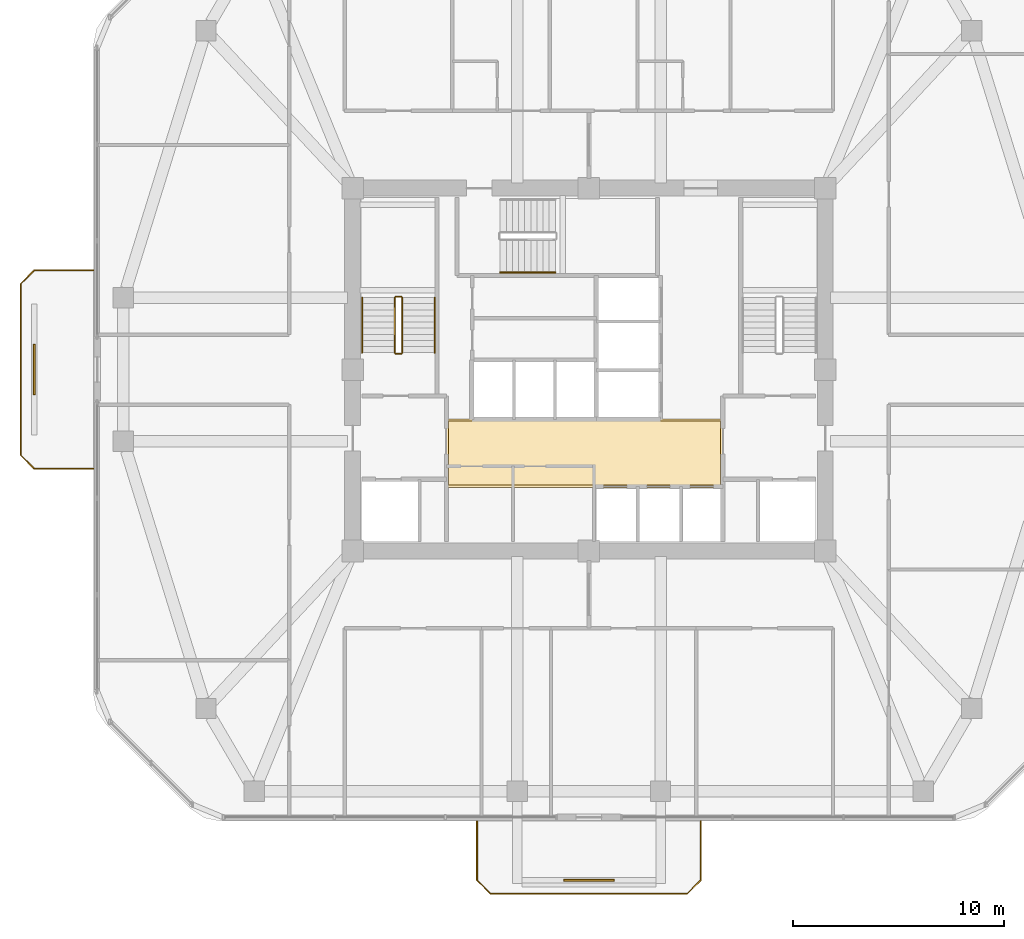
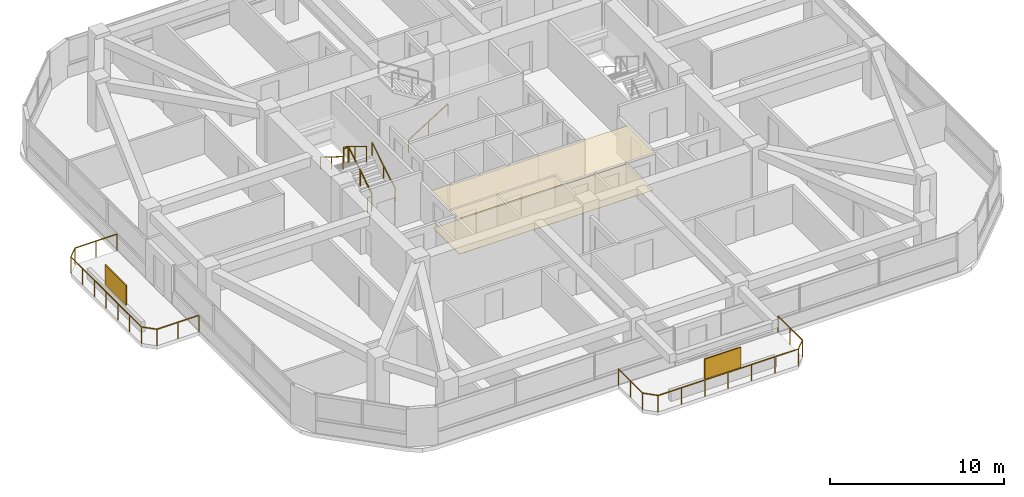
# One storey, part 11 of 12: 9 railings, 2 coverings, 2 shading devices.
"""IFC4 building model written with IfcOpenShell, lengths in metres."""

from ifc_helpers import new_model, si_unit, derived_unit, direction, frame, origin, origin_2d, place, context, subcontext, project, spatial, polyline, rectangle, outline, extrude, material, layer, layer_set, type_object, element, save


model = new_model("IFC4")

# Units and contexts
model_context = context("Model", 3, precision=1e-05, world=origin(), true_north=direction((0.0, 1.0)))
body_context = subcontext(model_context, "Body", "Model", "MODEL_VIEW")
ifc_project = project(units=[si_unit("LENGTHUNIT", "METRE"), si_unit("AREAUNIT", "SQUARE_METRE"), si_unit("VOLUMEUNIT", "CUBIC_METRE"), si_unit("PLANEANGLEUNIT", "RADIAN"), si_unit("MASSUNIT", "GRAM", prefix="KILO"), derived_unit("THERMALTRANSMITTANCEUNIT", [(si_unit("POWERUNIT", "WATT"), 1), (si_unit("LENGTHUNIT", "METRE"), -2), (si_unit("THERMODYNAMICTEMPERATUREUNIT", "KELVIN"), -1)])], contexts=[model_context])

# Site, building, storey
site_placement = place(None, origin())
site = spatial("IfcSite", under=ifc_project, at=site_placement, CompositionType="ELEMENT")
building_placement = place(site_placement, origin())
building = spatial("IfcBuilding", under=site, at=building_placement, Name="Koralith Skygarden Medical Center", CompositionType="ELEMENT")
storey_placement = place(building_placement, frame((0.0, 0.0, 134.820068359375)))
storey = spatial("IfcBuildingStorey", under=building, at=storey_placement, Name="L34", CompositionType="ELEMENT", Elevation=134.820068359375)

# Covering
ifc_material_1 = material(Name="Acoustic Mineral Tile")
ifc_layer_1 = layer(ifc_material_1, 0.02001953125)
ifc_layer_set_1 = layer_set([ifc_layer_1], Name="Acoustic Mineral Tile")
covering_type_1 = type_object("IfcCoveringType", Name="Acoustic Hygienic Mineral Ceiling 20", PredefinedType="CEILING", material=ifc_layer_set_1)
covering_1_placement = place(storey_placement, frame((0.0, 0.0, 2.5849609375)))
element("IfcCovering", 1, at=covering_1_placement, inside=storey, type_object=covering_type_1, Name="L34 Core Lobby Acoustic Ceiling", PredefinedType="CEILING", context=body_context, shape_type="SweptSolid", body=[
    extrude(outline(polyline([(30.25, 20.320068359375), (43.35009765625, 20.320068359375), (43.35009765625, 23.56005859375), (30.25, 23.56005859375), (30.25, 20.320068359375)])), origin(), (0.0, 0.0, 1.0), 0.02001953125),
])

# Railings
ifc_material_2 = material(Name="Steel ASTM A500 Grade C", Category="steel")
railing_type_1 = type_object("IfcRailingType", Name="Outdoor Terrace & Balcony Safety Guardrail 1180", PredefinedType="GUARDRAIL", material=ifc_material_2)
railing_1_placement = place(storey_placement, frame((31.699951171875, 4.5, 0.0)))
element("IfcRailing", 2, at=railing_1_placement, inside=storey, type_object=railing_type_1, Name="L34 S Balcony Perimeter Guardrail", PredefinedType="GUARDRAIL", context=body_context, shape_type="SweptSolid", body=[
    extrude(rectangle(XDim=0.050048828125, YDim=0.050048828125, at=origin_2d()), frame((0.0, -0.001953125, 1.15478515625), z_axis=(0.0, -1.0, 0.0), x_axis=(1.0, 0.0, 0.0)), (0.0, 0.0, 1.0), 2.796142578125),
    extrude(rectangle(XDim=0.050048828125, YDim=0.050048828125, at=origin_2d()), frame((0.00146484375, -2.801513671875, 1.15478515625), z_axis=(0.707239558722, -0.706973978714, 0.0), x_axis=(0.706973978714, 0.707239558722, 0.0)), (0.0, 0.0, 1.0), 0.915283203125),
    extrude(rectangle(XDim=0.050048828125, YDim=0.050048828125, at=origin_2d()), frame((0.652099609375, -3.449951171875, 1.15478515625), z_axis=(1.0, 0.0, 0.0), x_axis=(0.0, 1.0, 0.0)), (0.0, 0.0, 1.0), 9.2958984375),
    extrude(rectangle(XDim=0.050048828125, YDim=0.050048828125, at=origin_2d()), frame((9.951416015625, -3.448486328125, 1.15478515625), z_axis=(0.707239558722, 0.706973978714, 0.0), x_axis=(-0.706973978714, 0.707239558722, 0.0)), (0.0, 0.0, 1.0), 0.915283203125),
    extrude(rectangle(XDim=0.050048828125, YDim=0.050048828125, at=origin_2d()), frame((10.60009765625, -2.798095703125, 1.15478515625), z_axis=(0.0, 1.0, 0.0), x_axis=(-1.0, 0.0, 0.0)), (0.0, 0.0, 1.0), 2.796142578125),
    extrude(rectangle(XDim=0.0419921875, YDim=0.0419921875, at=origin_2d()), origin(), (0.0, 0.0, 1.0), 1.1279296875),
    extrude(rectangle(XDim=0.0419921875, YDim=0.0419921875, at=origin_2d()), frame((0.0, -1.39990234375, 0.0)), (0.0, 0.0, 1.0), 1.1279296875),
    extrude(rectangle(XDim=0.0419921875, YDim=0.0419921875, at=origin_2d()), frame((0.0, -2.800048828125, 0.0)), (0.0, 0.0, 1.0), 1.1279296875),
    extrude(rectangle(XDim=0.0419921875, YDim=0.0419921875, at=origin_2d()), frame((0.650146484375, -3.449951171875, 0.0)), (0.0, 0.0, 1.0), 1.1279296875),
    extrude(rectangle(XDim=0.0419921875, YDim=0.0419921875, at=origin_2d()), frame((2.2001953125, -3.449951171875, 0.0)), (0.0, 0.0, 1.0), 1.1279296875),
    extrude(rectangle(XDim=0.0419921875, YDim=0.0419921875, at=origin_2d()), frame((3.75, -3.449951171875, 0.0)), (0.0, 0.0, 1.0), 1.1279296875),
    extrude(rectangle(XDim=0.0419921875, YDim=0.0419921875, at=origin_2d()), frame((5.300048828125, -3.449951171875, 0.0)), (0.0, 0.0, 1.0), 1.1279296875),
    extrude(rectangle(XDim=0.0419921875, YDim=0.0419921875, at=origin_2d()), frame((6.85009765625, -3.449951171875, 0.0)), (0.0, 0.0, 1.0), 1.1279296875),
    extrude(rectangle(XDim=0.0419921875, YDim=0.0419921875, at=origin_2d()), frame((8.39990234375, -3.449951171875, 0.0)), (0.0, 0.0, 1.0), 1.1279296875),
    extrude(rectangle(XDim=0.0419921875, YDim=0.0419921875, at=origin_2d()), frame((9.949951171875, -3.449951171875, 0.0)), (0.0, 0.0, 1.0), 1.1279296875),
    extrude(rectangle(XDim=0.0419921875, YDim=0.0419921875, at=origin_2d()), frame((10.60009765625, -2.800048828125, 0.0)), (0.0, 0.0, 1.0), 1.1279296875),
    extrude(rectangle(XDim=0.0419921875, YDim=0.0419921875, at=origin_2d()), frame((10.60009765625, -1.39990234375, 0.0)), (0.0, 0.0, 1.0), 1.1279296875),
    extrude(rectangle(XDim=0.0419921875, YDim=0.0419921875, at=origin_2d()), frame((10.60009765625, 0.0, 0.0)), (0.0, 0.0, 1.0), 1.1279296875),
])
railing_2_placement = place(storey_placement, frame((13.51611328125, 21.199951171875, 0.0)))
element("IfcRailing", 3, at=railing_2_placement, inside=storey, type_object=railing_type_1, Name="L34 W Balcony Perimeter Guardrail", PredefinedType="GUARDRAIL", context=body_context, shape_type="SweptSolid", body=[
    extrude(rectangle(XDim=0.050048828125, YDim=0.050048828125, at=origin_2d()), frame((-0.001953125, 0.0, 1.15478515625), z_axis=(-1.0, 0.0, 0.0), x_axis=(0.0, -1.0, 0.0)), (0.0, 0.0, 1.0), 2.796142578125),
    extrude(rectangle(XDim=0.050048828125, YDim=0.050048828125, at=origin_2d()), frame((-2.801513671875, 0.00146484375, 1.15478515625), z_axis=(-0.707106781187, 0.707106781187, 0.0), x_axis=(-0.707106781187, -0.707106781187, 0.0)), (0.0, 0.0, 1.0), 0.91552734375),
    extrude(rectangle(XDim=0.050048828125, YDim=0.050048828125, at=origin_2d()), frame((-3.4501953125, 0.652099609375, 1.15478515625), z_axis=(0.0, 1.0, 0.0), x_axis=(-1.0, 0.0, 0.0)), (0.0, 0.0, 1.0), 8.095947265625),
    extrude(rectangle(XDim=0.050048828125, YDim=0.050048828125, at=origin_2d()), frame((-3.44873046875, 8.75146484375, 1.15478515625), z_axis=(0.707106781187, 0.707106781187, 0.0), x_axis=(-0.707106781187, 0.707106781187, 0.0)), (0.0, 0.0, 1.0), 0.91552734375),
    extrude(rectangle(XDim=0.050048828125, YDim=0.050048828125, at=origin_2d()), frame((-2.798095703125, 9.400146484375, 1.15478515625), z_axis=(1.0, 0.0, 0.0), x_axis=(0.0, 1.0, 0.0)), (0.0, 0.0, 1.0), 2.796142578125),
    extrude(rectangle(XDim=0.0419921875, YDim=0.0419921875, at=origin_2d()), origin(), (0.0, 0.0, 1.0), 1.1279296875),
    extrude(rectangle(XDim=0.0419921875, YDim=0.0419921875, at=origin_2d()), frame((-1.39990234375, 0.0, 0.0)), (0.0, 0.0, 1.0), 1.1279296875),
    extrude(rectangle(XDim=0.0419921875, YDim=0.0419921875, at=origin_2d()), frame((-2.800048828125, 0.0, 0.0)), (0.0, 0.0, 1.0), 1.1279296875),
    extrude(rectangle(XDim=0.0419921875, YDim=0.0419921875, at=origin_2d()), frame((-3.4501953125, 0.650146484375, 0.0)), (0.0, 0.0, 1.0), 1.1279296875),
    extrude(rectangle(XDim=0.0419921875, YDim=0.0419921875, at=origin_2d()), frame((-3.4501953125, 2.0, 0.0)), (0.0, 0.0, 1.0), 1.1279296875),
    extrude(rectangle(XDim=0.0419921875, YDim=0.0419921875, at=origin_2d()), frame((-3.4501953125, 3.35009765625, 0.0)), (0.0, 0.0, 1.0), 1.1279296875),
    extrude(rectangle(XDim=0.0419921875, YDim=0.0419921875, at=origin_2d()), frame((-3.4501953125, 4.7001953125, 0.0)), (0.0, 0.0, 1.0), 1.1279296875),
    extrude(rectangle(XDim=0.0419921875, YDim=0.0419921875, at=origin_2d()), frame((-3.4501953125, 6.050048828125, 0.0)), (0.0, 0.0, 1.0), 1.1279296875),
    extrude(rectangle(XDim=0.0419921875, YDim=0.0419921875, at=origin_2d()), frame((-3.4501953125, 7.39990234375, 0.0)), (0.0, 0.0, 1.0), 1.1279296875),
    extrude(rectangle(XDim=0.0419921875, YDim=0.0419921875, at=origin_2d()), frame((-3.4501953125, 8.75, 0.0)), (0.0, 0.0, 1.0), 1.1279296875),
    extrude(rectangle(XDim=0.0419921875, YDim=0.0419921875, at=origin_2d()), frame((-2.800048828125, 9.400146484375, 0.0)), (0.0, 0.0, 1.0), 1.1279296875),
    extrude(rectangle(XDim=0.0419921875, YDim=0.0419921875, at=origin_2d()), frame((-1.39990234375, 9.400146484375, 0.0)), (0.0, 0.0, 1.0), 1.1279296875),
    extrude(rectangle(XDim=0.0419921875, YDim=0.0419921875, at=origin_2d()), frame((0.0, 9.400146484375, 0.0)), (0.0, 0.0, 1.0), 1.1279296875),
])

# Shading devices
ifc_material_3 = material(Name="Aluminium 6063-T6", Category="aluminium")
ifc_layer_2 = layer(ifc_material_3, 0.080078125)
ifc_layer_set_2 = layer_set([ifc_layer_2], Name="Aluminium 6063-T6")
shading_device_type = type_object("IfcShadingDeviceType", Name="Perforated Biophilic Balcony Trellis Screen", PredefinedType="USERDEFINED", material=ifc_layer_set_2)
for number, where, z_axis, x_axis, name in (
    (4, (37.0, 1.699951171875, 0.719970703125), (0.0, 0.0, 1.0), (1.0, 0.0, 0.0), "L34 S Biophilic Balcony Trellis Screen"),
    (5, (10.716064453125, 25.89990234375, 0.719970703125), (0.0, 0.0, 1.0), (0.0, 1.0, 0.0), "L34 W Biophilic Balcony Trellis Screen"),
):
    element("IfcShadingDevice", number, at=place(storey_placement, frame(where, z_axis=z_axis, x_axis=x_axis)), inside=storey, type_object=shading_device_type, Name=name, ObjectType="HURRICANE SCREEN", PredefinedType="USERDEFINED", context=body_context, shape_type="SweptSolid", body=[
        extrude(rectangle(XDim=2.39990234375, YDim=0.080078125, at=origin_2d()), origin(), (0.0, 0.0, 1.0), 1.39990234375),
    ])

# Covering
ifc_material_4 = material(Name="Medical Terrazzo Flooring")
ifc_layer_3 = layer(ifc_material_4, 0.014892578125)
ifc_layer_set_3 = layer_set([ifc_layer_3], Name="Medical Terrazzo Flooring")
covering_type_2 = type_object("IfcCoveringType", Name="Seamless Antimicrobial Terrazzo Flooring 15", PredefinedType="FLOORING", material=ifc_layer_set_3)
covering_2_placement = place(storey_placement, origin())
element("IfcCovering", 6, at=covering_2_placement, inside=storey, type_object=covering_type_2, Name="L34 Core Lobby Terrazzo Flooring", PredefinedType="FLOORING", context=body_context, shape_type="SweptSolid", body=[
    extrude(outline(polyline([(30.35009765625, 20.419921875), (43.25, 20.419921875), (43.25, 23.4599609375), (30.35009765625, 23.4599609375), (30.35009765625, 20.419921875)])), origin(), (0.0, 0.0, 1.0), 0.014892578125),
])

# Railings
railing_type_2 = type_object("IfcRailingType", Name="Stair Flight Tubular Handrail 920", PredefinedType="HANDRAIL", material=ifc_material_2)
railing_3_placement = place(storey_placement, frame((29.699951171875, 26.699951171875, 0.179931640625)))
element("IfcRailing", 7, at=railing_3_placement, inside=storey, type_object=railing_type_2, Name="L34 ST1 stair handrail 1", PredefinedType="HANDRAIL", context=body_context, shape_type="SweptSolid", body=[
    extrude(rectangle(XDim=0.050048828125, YDim=0.050048828125, at=origin_2d()), frame((0.0, 0.001708984375, 0.89599609375), z_axis=(0.0, 0.849632798774, 0.527374731332), x_axis=(-1.0, 0.0, 0.0)), (0.0, 0.0, 1.0), 3.068115234375),
    extrude(rectangle(XDim=0.0419921875, YDim=0.0419921875, at=origin_2d()), origin(), (0.0, 0.0, 1.0), 0.867919921875),
    extrude(rectangle(XDim=0.0419921875, YDim=0.0419921875, at=origin_2d()), frame((0.0, 1.30517578125, 0.81005859375)), (0.0, 0.0, 1.0), 0.867919921875),
    extrude(rectangle(XDim=0.0419921875, YDim=0.0419921875, at=origin_2d()), frame((0.0, 2.610107421875, 1.6201171875)), (0.0, 0.0, 1.0), 0.867919921875),
])
railing_4_placement = place(storey_placement, frame((26.25, 29.31005859375, 1.97998046875)))
element("IfcRailing", 8, at=railing_4_placement, inside=storey, type_object=railing_type_2, Name="L34 ST1 stair handrail 2", PredefinedType="HANDRAIL", context=body_context, shape_type="SweptSolid", body=[
    extrude(rectangle(XDim=0.050048828125, YDim=0.050048828125, at=origin_2d()), frame((0.0, -0.001708984375, 0.89599609375), z_axis=(0.0, -0.849668407637, 0.527317358963), x_axis=(1.0, 0.0, 0.0)), (0.0, 0.0, 1.0), 3.06787109375),
    extrude(rectangle(XDim=0.0419921875, YDim=0.0419921875, at=origin_2d()), origin(), (0.0, 0.0, 1.0), 0.867919921875),
    extrude(rectangle(XDim=0.0419921875, YDim=0.0419921875, at=origin_2d()), frame((0.0, -1.30517578125, 0.81005859375)), (0.0, 0.0, 1.0), 0.867919921875),
    extrude(rectangle(XDim=0.0419921875, YDim=0.0419921875, at=origin_2d()), frame((0.0, -2.610107421875, 1.619873046875)), (0.0, 0.0, 1.0), 0.867919921875),
])
railing_5_placement = place(storey_placement, frame((32.800048828125, 30.5, 0.179931640625)))
element("IfcRailing", 9, at=railing_5_placement, inside=storey, type_object=railing_type_2, Name="L34 ST3 stair handrail 1", PredefinedType="HANDRAIL", context=body_context, shape_type="SweptSolid", body=[
    extrude(rectangle(XDim=0.050048828125, YDim=0.050048828125, at=origin_2d()), frame((0.001708984375, 0.0, 0.89599609375), z_axis=(0.849610693518, 0.0, 0.52741034258), x_axis=(0.0, 1.0, 0.0)), (0.0, 0.0, 1.0), 3.06787109375),
    extrude(rectangle(XDim=0.0419921875, YDim=0.0419921875, at=origin_2d()), origin(), (0.0, 0.0, 1.0), 0.867919921875),
    extrude(rectangle(XDim=0.0419921875, YDim=0.0419921875, at=origin_2d()), frame((1.304931640625, 0.0, 0.81005859375)), (0.0, 0.0, 1.0), 0.867919921875),
    extrude(rectangle(XDim=0.0419921875, YDim=0.0419921875, at=origin_2d()), frame((2.60986328125, 0.0, 1.6201171875)), (0.0, 0.0, 1.0), 0.867919921875),
])
railing_type_3 = type_object("IfcRailingType", Name="Stair Well Safety Guardrail 1100", PredefinedType="GUARDRAIL", material=ifc_material_2)
railing_6_placement = place(storey_placement, frame((28.14990234375, 26.699951171875, 0.179931640625)))
element("IfcRailing", 10, at=railing_6_placement, inside=storey, type_object=railing_type_3, Name="L34 ST1 stair guard 1", PredefinedType="GUARDRAIL", context=body_context, shape_type="SweptSolid", body=[
    extrude(rectangle(XDim=0.050048828125, YDim=0.050048828125, at=origin_2d()), frame((0.0, 0.001708984375, 1.076171875), z_axis=(0.0, 0.849632798774, 0.527374731332), x_axis=(-1.0, 0.0, 0.0)), (0.0, 0.0, 1.0), 3.068115234375),
    extrude(rectangle(XDim=0.0419921875, YDim=0.0419921875, at=origin_2d()), origin(), (0.0, 0.0, 1.0), 1.048095703125),
    extrude(rectangle(XDim=0.0419921875, YDim=0.0419921875, at=origin_2d()), frame((0.0, 1.30517578125, 0.81005859375)), (0.0, 0.0, 1.0), 1.048095703125),
    extrude(rectangle(XDim=0.0419921875, YDim=0.0419921875, at=origin_2d()), frame((0.0, 2.610107421875, 1.6201171875)), (0.0, 0.0, 1.0), 1.048095703125),
])
railing_7_placement = place(storey_placement, frame((28.10009765625, 29.360107421875, 1.800048828125)))
element("IfcRailing", 11, at=railing_7_placement, inside=storey, type_object=railing_type_3, Name="L34 ST1 stair guard 2", PredefinedType="GUARDRAIL", context=body_context, shape_type="SweptSolid", body=[
    extrude(rectangle(XDim=0.050048828125, YDim=0.050048828125, at=origin_2d()), frame((-0.001953125, 0.0, 1.0751953125), z_axis=(-1.0, 0.0, 0.0), x_axis=(0.0, -1.0, 0.0)), (0.0, 0.0, 1.0), 0.24609375),
    extrude(rectangle(XDim=0.0419921875, YDim=0.0419921875, at=origin_2d()), origin(), (0.0, 0.0, 1.0), 1.048095703125),
    extrude(rectangle(XDim=0.0419921875, YDim=0.0419921875, at=origin_2d()), frame((-0.25, 0.0, 0.0)), (0.0, 0.0, 1.0), 1.048095703125),
])
railing_8_placement = place(storey_placement, frame((27.800048828125, 29.31005859375, 1.97998046875)))
element("IfcRailing", 12, at=railing_8_placement, inside=storey, type_object=railing_type_3, Name="L34 ST1 stair guard 3", PredefinedType="GUARDRAIL", context=body_context, shape_type="SweptSolid", body=[
    extrude(rectangle(XDim=0.050048828125, YDim=0.050048828125, at=origin_2d()), frame((0.0, -0.001708984375, 1.076171875), z_axis=(0.0, -0.849668407637, 0.527317358963), x_axis=(1.0, 0.0, 0.0)), (0.0, 0.0, 1.0), 3.06787109375),
    extrude(rectangle(XDim=0.0419921875, YDim=0.0419921875, at=origin_2d()), origin(), (0.0, 0.0, 1.0), 1.048095703125),
    extrude(rectangle(XDim=0.0419921875, YDim=0.0419921875, at=origin_2d()), frame((0.0, -1.30517578125, 0.81005859375)), (0.0, 0.0, 1.0), 1.048095703125),
    extrude(rectangle(XDim=0.0419921875, YDim=0.0419921875, at=origin_2d()), frame((0.0, -2.610107421875, 1.619873046875)), (0.0, 0.0, 1.0), 1.048095703125),
])
railing_9_placement = place(storey_placement, frame((28.10009765625, 26.64990234375, 0.0)))
element("IfcRailing", 13, at=railing_9_placement, inside=storey, type_object=railing_type_3, Name="L34 ST1 stair guard 4", PredefinedType="GUARDRAIL", context=body_context, shape_type="SweptSolid", body=[
    extrude(rectangle(XDim=0.050048828125, YDim=0.050048828125, at=origin_2d()), frame((-0.001953125, 0.0, 1.0751953125), z_axis=(-1.0, 0.0, 0.0), x_axis=(0.0, -1.0, 0.0)), (0.0, 0.0, 1.0), 0.24609375),
    extrude(rectangle(XDim=0.0419921875, YDim=0.0419921875, at=origin_2d()), origin(), (0.0, 0.0, 1.0), 1.048095703125),
    extrude(rectangle(XDim=0.0419921875, YDim=0.0419921875, at=origin_2d()), frame((-0.25, 0.0, 0.0)), (0.0, 0.0, 1.0), 1.048095703125),
])

save(model, "model.ifc")
